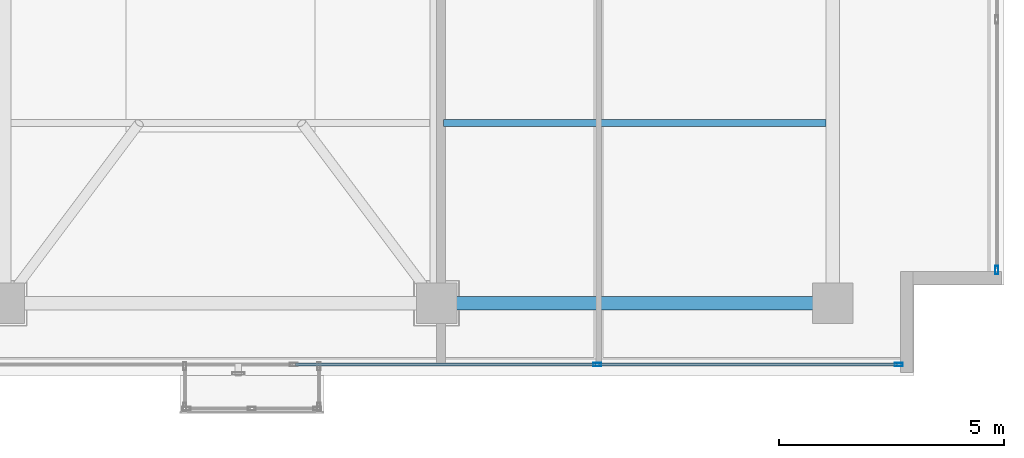
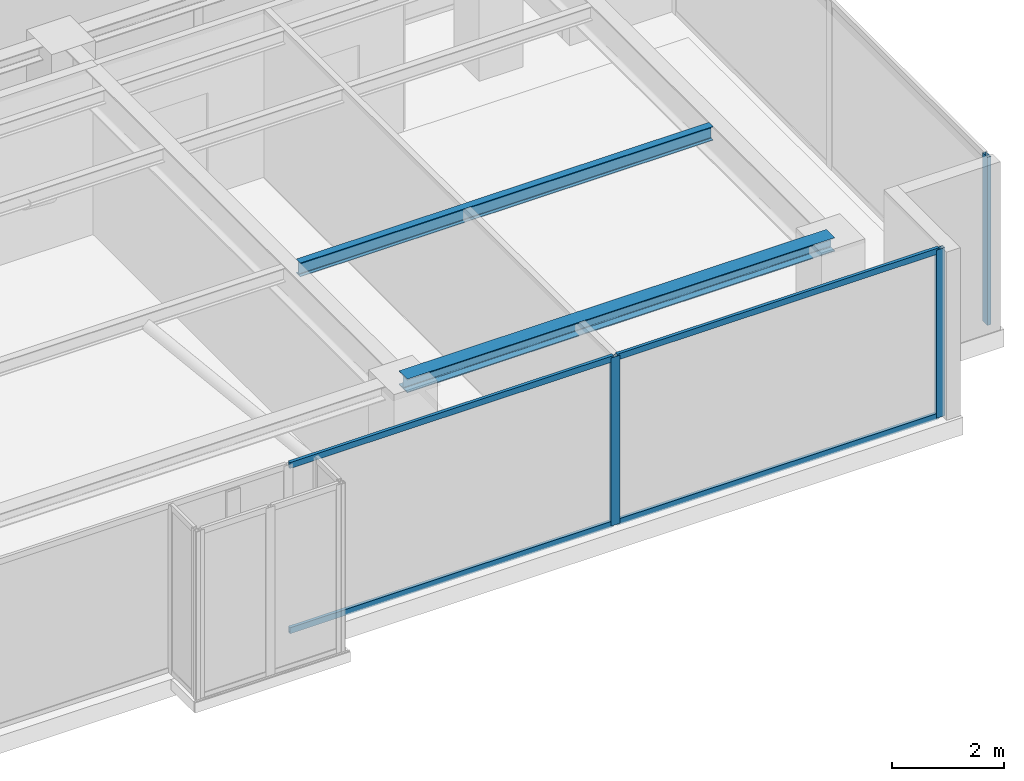
# One storey, part 15 of 31: 7 members, 2 beams, 2 elements without a shape of their own.
"""IFC4 building model written with IfcOpenShell, lengths in metres."""

from ifc_helpers import new_model, si_unit, direction, frame, origin, origin_with_axes, origin_2d, place, context, subcontext, project, spatial, hollow_rectangle, i_section, extrude, source, transform, mapped, material, layer, layer_set, material_profile, profile_set, type_object, element, aggregate, save


model = new_model("IFC4")

# Units and contexts
model_context = context("Model", 3, precision=1e-05, world=origin(), true_north=direction((0.0, 1.0)))
body_context = subcontext(model_context, "Body", "Model", "MODEL_VIEW")
ifc_project = project(units=[si_unit("LENGTHUNIT", "METRE"), si_unit("AREAUNIT", "SQUARE_METRE"), si_unit("VOLUMEUNIT", "CUBIC_METRE"), si_unit("PLANEANGLEUNIT", "RADIAN"), si_unit("MASSUNIT", "GRAM", prefix="KILO")], contexts=[model_context])

# Site, building, storey
site_placement = place(None, origin())
site = spatial("IfcSite", under=ifc_project, at=site_placement, CompositionType="ELEMENT")
building_placement = place(site_placement, origin())
building = spatial("IfcBuilding", under=site, at=building_placement, Name="Kolvaren Waterfront Exchange", CompositionType="ELEMENT")
storey_placement = place(building_placement, frame((0.0, 0.0, 344.199951171875)))
storey = spatial("IfcBuildingStorey", under=building, at=storey_placement, Name="L88", CompositionType="ELEMENT", Elevation=344.199951171875)

# Beams
ifc_material_1 = material(Name="Steel S355", Category="steel")
ifc_material_profile_1 = material_profile(ifc_material_1, i_section(OverallWidth=0.300048828125, OverallDepth=0.300048828125, WebThickness=0.010986328125, FlangeThickness=0.01904296875, FilletRadius=0.027099609375, at=origin_2d()), Name="HEB300")
ifc_profile_set_1 = profile_set([ifc_material_profile_1], Name="Steel S355")
beam_type_1 = type_object("IfcBeamType", Name="STR-BM-HEB300", PredefinedType="SPANDREL", material=ifc_profile_set_1)
beam_1_placement = place(storey_placement, frame((36.800048828125, 5.199951171875, 3.510009765625), z_axis=(1.0, 0.0, 0.0), x_axis=(0.0, 1.0, 0.0)))
element("IfcBeam", 1, at=beam_1_placement, inside=storey, type_object=beam_type_1, Name="L88 east-arm spandrel S3", PredefinedType="SPANDREL", context=body_context, shape_type="SweptSolid", body=[
    extrude(i_section(OverallWidth=0.300048828125, OverallDepth=0.300048828125, WebThickness=0.010986328125, FlangeThickness=0.01904296875, FilletRadius=0.027099609375, at=origin_2d()), origin(), (0.0, 0.0, 1.0), 8.800048828125),
])
ifc_material_profile_2 = material_profile(ifc_material_1, i_section(OverallWidth=0.14990234375, OverallDepth=0.300048828125, WebThickness=0.007080078125, FlangeThickness=0.0107421875, FilletRadius=0.014892578125, at=origin_2d()), Name="IPE300")
ifc_profile_set_2 = profile_set([ifc_material_profile_2], Name="Steel S355")
beam_type_2 = type_object("IfcBeamType", Name="STR-BM-IPE300", PredefinedType="JOIST", material=ifc_profile_set_2)
beam_2_placement = place(storey_placement, frame((36.951904296875, 9.199951171875, 3.510009765625), z_axis=(1.0, 0.0, 0.0), x_axis=(0.0, 1.0, 0.0)))
element("IfcBeam", 2, at=beam_2_placement, inside=storey, type_object=beam_type_2, Name="L88 east-arm composite joist 3B", PredefinedType="JOIST", context=body_context, shape_type="SweptSolid", body=[
    extrude(i_section(OverallWidth=0.14990234375, OverallDepth=0.300048828125, WebThickness=0.007080078125, FlangeThickness=0.0107421875, FilletRadius=0.014892578125, at=origin_2d()), origin(), (0.0, 0.0, 1.0), 8.49609375),
])

# Curtain wall, members
ifc_material_2 = material(Name="Anodised bronze aluminium 6063-T6", Category="aluminium")
ifc_layer = layer(ifc_material_2, 0.219970703125, Name="Anodised bronze aluminium 6063-T6")
ifc_layer_set = layer_set([ifc_layer], Name="Anodised bronze aluminium 6063-T6")
curtain_wall_type = type_object("IfcCurtainWallType", Name="ARC-CW-SYS5", PredefinedType="USERDEFINED", material=ifc_layer_set)
curtain_wall_1_placement = place(storey_placement, origin())
curtain_wall_1 = element("IfcCurtainWall", 3, at=curtain_wall_1_placement, inside=storey, type_object=curtain_wall_type, Name="L88 stick curtain wall CW5 (CW-L88-S)", ObjectType="STICK CURTAIN WALL", PredefinedType="USERDEFINED")
ifc_material_profile_3 = material_profile(ifc_material_2, hollow_rectangle(XDim=0.074951171875, YDim=0.179931640625, WallThickness=0.00439453125, at=origin_2d()), Name="ALU-MUL-180x75x4.5")
ifc_profile_set_3 = profile_set([ifc_material_profile_3], Name="Anodised bronze aluminium 6063-T6")
member_type_1 = type_object("IfcMemberType", Name="ARC-CWM-180", PredefinedType="MULLION", material=ifc_profile_set_3)
shared_shape_1 = source(origin_with_axes(), body_context, "Body", "SweptSolid", [
    extrude(hollow_rectangle(XDim=0.074951171875, YDim=0.179931640625, WallThickness=0.00439453125, at=origin_2d()), origin(), (0.0, 0.0, 1.0), 3.66015625),
])
member_1_placement = place(storey_placement, frame((40.36669921875, 3.840087890625, 0.0), z_axis=(0.0, 0.0, 1.0), x_axis=(0.0, 1.0, 0.0)))
member_1 = element("IfcMember", 4, at=member_1_placement, type_object=member_type_1, Name="CW5 mullion 6", PredefinedType="MULLION", context=body_context, shape_type="MappedRepresentation", body=[
    mapped(shared_shape_1, transform((0.0, 0.0, 0.0), x_axis=(1.0, 0.0, 0.0), y_axis=(0.0, 1.0, 0.0), z_axis=(0.0, 0.0, 1.0), scale=1.0)),
])
member_2_placement = place(storey_placement, frame((47.0625, 3.840087890625, 0.0), z_axis=(0.0, 0.0, 1.0), x_axis=(0.0, 1.0, 0.0)))
member_2 = element("IfcMember", 5, at=member_2_placement, type_object=member_type_1, Name="CW5 mullion 7", PredefinedType="MULLION", context=body_context, shape_type="MappedRepresentation", body=[
    mapped(shared_shape_1, transform((0.0, 0.0, 0.0), x_axis=(1.0, 0.0, 0.0), y_axis=(0.0, 1.0, 0.0), z_axis=(0.0, 0.0, 1.0), scale=1.0)),
])

# Curtain wall, member
curtain_wall_2_placement = place(storey_placement, origin())
curtain_wall_2 = element("IfcCurtainWall", 6, at=curtain_wall_2_placement, inside=storey, type_object=curtain_wall_type, Name="L88 stick curtain wall CW5 (CW-L88-ET)", ObjectType="STICK CURTAIN WALL", PredefinedType="USERDEFINED")
member_3_placement = place(storey_placement, frame((49.239990234375, 5.9375, 0.0), z_axis=(0.0, 0.0, 1.0), x_axis=(-1.0, 0.0, 0.0)))
member_3 = element("IfcMember", 7, at=member_3_placement, type_object=member_type_1, Name="CW5 mullion 1", PredefinedType="MULLION", context=body_context, shape_type="MappedRepresentation", body=[
    mapped(shared_shape_1, transform((0.0, 0.0, 0.0), x_axis=(1.0, 0.0, 0.0), y_axis=(0.0, 1.0, 0.0), z_axis=(0.0, 0.0, 1.0), scale=1.0)),
])
aggregate(curtain_wall_2, [member_3])

# Member
ifc_material_profile_4 = material_profile(ifc_material_2, hollow_rectangle(XDim=0.06494140625, YDim=0.1298828125, WallThickness=0.00390625, at=origin_2d()), Name="ALU-TRN-130x65x4")
ifc_profile_set_4 = profile_set([ifc_material_profile_4], Name="Anodised bronze aluminium 6063-T6")
member_type_2 = type_object("IfcMemberType", Name="ARC-CWT-130", PredefinedType="USERDEFINED", material=ifc_profile_set_4)
shared_shape_2 = source(origin_with_axes(), body_context, "Body", "SweptSolid", [
    extrude(hollow_rectangle(XDim=0.06494140625, YDim=0.1298828125, WallThickness=0.00390625, at=origin_2d()), origin(), (0.0, 0.0, 1.0), 6.620849609375),
])
member_4_placement = place(storey_placement, frame((40.404052734375, 3.840087890625, 0.032470703125), z_axis=(1.0, 0.0, 0.0), x_axis=(0.0, 1.0, 0.0)))
member_4 = element("IfcMember", 8, at=member_4_placement, type_object=member_type_2, Name="CW5 transom 6.1", ObjectType="TRANSOM", PredefinedType="USERDEFINED", context=body_context, shape_type="MappedRepresentation", body=[
    mapped(shared_shape_2, transform((0.0, 0.0, 0.0), x_axis=(1.0, 0.0, 0.0), y_axis=(0.0, 1.0, 0.0), z_axis=(0.0, 0.0, 1.0), scale=1.0)),
])

member_5_placement = place(storey_placement, frame((40.404052734375, 3.840087890625, 3.62744140625), z_axis=(1.0, 0.0, 0.0), x_axis=(0.0, 1.0, 0.0)))
member_5 = element("IfcMember", 9, at=member_5_placement, type_object=member_type_2, Name="CW5 transom 6.2", ObjectType="TRANSOM", PredefinedType="USERDEFINED", context=body_context, shape_type="MappedRepresentation", body=[
    mapped(shared_shape_2, transform((0.0, 0.0, 0.0), x_axis=(1.0, 0.0, 0.0), y_axis=(0.0, 1.0, 0.0), z_axis=(0.0, 0.0, 1.0), scale=1.0)),
])

shared_shape_3 = source(origin_with_axes(), body_context, "Body", "SweptSolid", [
    extrude(hollow_rectangle(XDim=0.06494140625, YDim=0.1298828125, WallThickness=0.00390625, at=origin_2d()), origin(), (0.0, 0.0, 1.0), 6.658203125),
])
member_6_placement = place(storey_placement, frame((33.6708984375, 3.840087890625, 0.032470703125), z_axis=(1.0, 0.0, 0.0), x_axis=(0.0, 1.0, 0.0)))
member_6 = element("IfcMember", 10, at=member_6_placement, type_object=member_type_2, Name="CW5 transom 5.1", ObjectType="TRANSOM", PredefinedType="USERDEFINED", context=body_context, shape_type="MappedRepresentation", body=[
    mapped(shared_shape_3, transform((0.0, 0.0, 0.0), x_axis=(1.0, 0.0, 0.0), y_axis=(0.0, 1.0, 0.0), z_axis=(0.0, 0.0, 1.0), scale=1.0)),
])

member_7_placement = place(storey_placement, frame((33.6708984375, 3.840087890625, 3.62744140625), z_axis=(1.0, 0.0, 0.0), x_axis=(0.0, 1.0, 0.0)))
member_7 = element("IfcMember", 11, at=member_7_placement, type_object=member_type_2, Name="CW5 transom 5.2", ObjectType="TRANSOM", PredefinedType="USERDEFINED", context=body_context, shape_type="MappedRepresentation", body=[
    mapped(shared_shape_3, transform((0.0, 0.0, 0.0), x_axis=(1.0, 0.0, 0.0), y_axis=(0.0, 1.0, 0.0), z_axis=(0.0, 0.0, 1.0), scale=1.0)),
])

aggregate(curtain_wall_1, [member_1, member_2, member_6, member_7, member_4, member_5])

save(model, "model.ifc")
